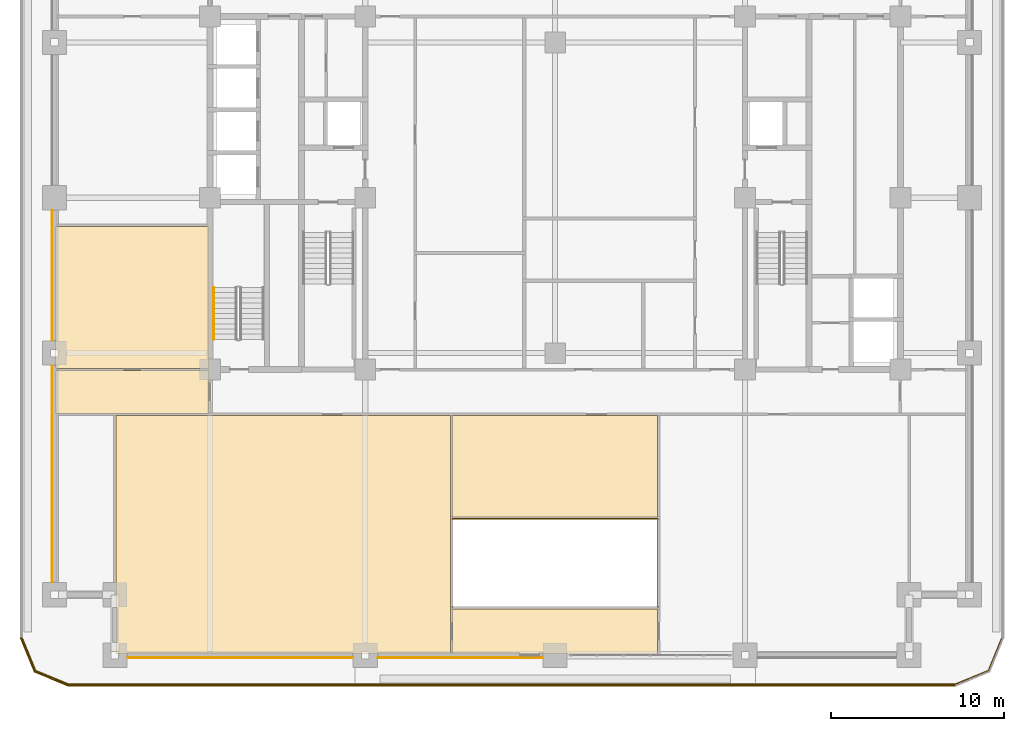
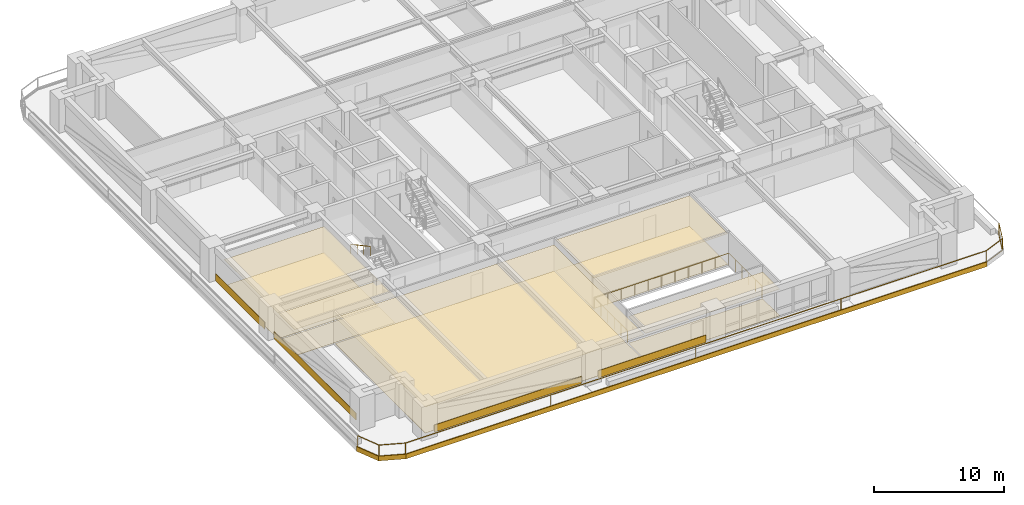
# One storey, part 11 of 18: 17 coverings, 3 railings.
"""IFC4 building model written with IfcOpenShell, lengths in metres."""

import ifcopenshell
import ifcopenshell.guid

model = None  # the IFC model being written
_history = None  # IfcOwnerHistory: only IFC2X3 demands one
_inside = {}  # id of a spatial element -> (the spatial element, [elements in it])
_under = {}  # id of a project, library or spatial element -> (it, [spatial elements below it])
_declared = {}  # id of a project -> (the project, [libraries it declares])
_typed = {}  # id of a type object -> (the type object, [elements of that type])
_made_of = {}  # id of a material, layer set ... -> (it, [elements and type objects made of it])


def new_model(schema):
    """Start an empty IFC model of exactly this schema.

    Asked for "IFC4X3", IfcOpenShell would pick the latest addendum, in which some entities
    have other attributes; the version numbers below select the first issue.
    IFC2X3 requires an IfcOwnerHistory on every rooted entity: one is made here for all.
    """
    global model, _history
    if schema == "IFC4X3":
        model = ifcopenshell.file(schema_version=(4, 3, 0, 0))
    else:
        model = ifcopenshell.file(schema=schema)
    _inside.clear()
    _under.clear()
    _declared.clear()
    _typed.clear()
    _made_of.clear()
    _history = None
    if model.schema == "IFC2X3":
        org = make("IfcOrganization", Name="unknown")
        user = make(
            "IfcPersonAndOrganization",
            ThePerson=make("IfcPerson", FamilyName="unknown"),
            TheOrganization=org,
        )
        app = make(
            "IfcApplication",
            ApplicationDeveloper=org,
            Version="unknown",
            ApplicationFullName="unknown",
            ApplicationIdentifier="unknown",
        )
        _history = make(
            "IfcOwnerHistory",
            OwningUser=user,
            OwningApplication=app,
            ChangeAction="ADDED",
            CreationDate=0,
        )
    return model


def make(cls, **values):
    """One entity of the class cls with the attributes given. An attribute that is None is left unset."""
    return model.create_entity(
        cls, **{name: value for name, value in values.items() if value is not None}
    )


def rooted(cls, **values):
    """An entity with a GlobalId (a new one), such as an element, a storey or a relation."""
    return make(cls, GlobalId=ifcopenshell.guid.new(), OwnerHistory=_history, **values)


def si_unit(unit_type, name, prefix=None):
    """IfcSIUnit, for example si_unit("LENGTHUNIT", "METRE", prefix="MILLI")."""
    return make("IfcSIUnit", UnitType=unit_type, Prefix=prefix, Name=name)


def assignment(units):
    """IfcUnitAssignment: the units of a project."""
    return None if units is None else make("IfcUnitAssignment", Units=units)


def point(xyz):
    """IfcCartesianPoint."""
    return None if xyz is None else make("IfcCartesianPoint", Coordinates=xyz)


def direction(xyz):
    """IfcDirection."""
    return None if xyz is None else make("IfcDirection", DirectionRatios=xyz)


def frame(location, z_axis=None, x_axis=None):
    """IfcAxis2Placement3D, a coordinate frame: its origin and axes. An axis left out is left unset."""
    return make(
        "IfcAxis2Placement3D",
        Location=point(location),
        Axis=direction(z_axis),
        RefDirection=direction(x_axis),
    )


def frame_2d(location, x_axis=None):
    """IfcAxis2Placement2D, a coordinate frame in the plane: its origin and x axis."""
    return make(
        "IfcAxis2Placement2D", Location=point(location), RefDirection=direction(x_axis)
    )


def origin():
    """The frame at (0, 0, 0) with its axes left unset."""
    return frame((0.0, 0.0, 0.0))


def origin_2d():
    """The frame at (0, 0) in the plane with its x axis left unset."""
    return frame_2d((0.0, 0.0))


def place(relative_to, where):
    """IfcLocalPlacement: puts the frame where relative to a parent placement (None: the world)."""
    return make(
        "IfcLocalPlacement", PlacementRelTo=relative_to, RelativePlacement=where
    )


def context(
    kind, dimensions, precision=None, world=None, true_north=None, identifier=None
):
    """IfcGeometricRepresentationContext, for example the 3D "Model" context."""
    return make(
        "IfcGeometricRepresentationContext",
        ContextIdentifier=identifier,
        ContextType=kind,
        CoordinateSpaceDimension=dimensions,
        Precision=precision,
        WorldCoordinateSystem=world,
        TrueNorth=true_north,
    )


def subcontext(parent, identifier, kind, view, scale=None):
    """IfcGeometricRepresentationSubContext, for example "Body" below "Model"."""
    return make(
        "IfcGeometricRepresentationSubContext",
        ContextIdentifier=identifier,
        ContextType=kind,
        ParentContext=parent,
        TargetScale=scale,
        TargetView=view,
    )


def project(units=None, contexts=None):
    """IfcProject with its units and contexts."""
    return rooted(
        "IfcProject",
        Name="project",
        RepresentationContexts=contexts,
        UnitsInContext=assignment(units),
    )


def spatial(cls, under=None, at=None, **own):
    """A site, building, storey or space (cls), placed at a placement, below another one or the project."""
    s = rooted(cls, ObjectPlacement=at, **own)
    if under is not None:
        _under.setdefault(under.id(), (under, []))[1].append(s)
    return s


def polyline(points):
    """IfcPolyline through the points."""
    return make("IfcPolyline", Points=[point(p) for p in points])


def profile(cls, at=None, kind="AREA", **sizes):
    """A parametric profile (cls). Its sizes go by their IFC names, for example OverallWidth=200.0."""
    return make(cls, ProfileType=kind, Position=at, **sizes)


def rectangle(**sizes):
    """IfcRectangleProfileDef."""
    return profile("IfcRectangleProfileDef", **sizes)


def outline(outer, holes=None, kind="AREA"):
    """IfcArbitraryClosedProfileDef: a profile drawn as a closed curve; with holes, ...WithVoids."""
    if holes is None:
        return make("IfcArbitraryClosedProfileDef", ProfileType=kind, OuterCurve=outer)
    return make(
        "IfcArbitraryProfileDefWithVoids",
        ProfileType=kind,
        OuterCurve=outer,
        InnerCurves=holes,
    )


def extrude(swept, where, along, depth):
    """IfcExtrudedAreaSolid: the profile swept, set in the frame where, extruded along a direction by depth."""
    return make(
        "IfcExtrudedAreaSolid",
        SweptArea=swept,
        Position=where,
        ExtrudedDirection=direction(along),
        Depth=depth,
    )


def shape(context_of_items, identifier, shape_type, items):
    """IfcShapeRepresentation: the items that make up one representation, for example the "Body"."""
    return make(
        "IfcShapeRepresentation",
        ContextOfItems=context_of_items,
        RepresentationIdentifier=identifier,
        RepresentationType=shape_type,
        Items=items,
    )


def material(Name=None, Category=None):
    """IfcMaterial."""
    return make("IfcMaterial", Name=Name, Category=Category)


def layer(
    of_material, thickness, ventilated=None, Name=None, Category=None, Priority=None
):
    """IfcMaterialLayer: one layer of a wall or slab, of a material (None: an air gap)."""
    return make(
        "IfcMaterialLayer",
        Material=of_material,
        LayerThickness=thickness,
        IsVentilated=ventilated,
        Name=Name,
        Category=Category,
        Priority=Priority,
    )


def layer_set(layers, Name=None):
    """IfcMaterialLayerSet."""
    return make("IfcMaterialLayerSet", MaterialLayers=layers, LayerSetName=Name)


def made_of(thing, what):
    """Note that an element or type object is made of a material, layer set ...; save() writes the relation."""
    if what is not None:
        _made_of.setdefault(what.id(), (what, []))[1].append(thing)
    return thing


def type_object(cls, material=None, **own):
    """A type object (cls), such as IfcWallType, which elements share."""
    return made_of(rooted(cls, **own), material)


def element(
    cls,
    number,
    at=None,
    inside=None,
    cuts=None,
    type_object=None,
    material=None,
    context=None,
    identifier="Body",
    shape_type=None,
    held_by="IfcProductDefinitionShape",
    body=None,
    shapes=None,
    **own,
):
    """One element of the class cls, such as IfcWall. Its Tag is "e" and its number.

    at: its placement. inside: the storey or other place that contains it. cuts: it is an
    opening in that element (IfcRelVoidsElement). A single representation is given by context,
    identifier, shape_type and body (its items); several are given by shapes. held_by: the class
    of the entity that holds the representations. save() writes the other relations.
    """
    e = rooted(cls, Tag="e%d" % number, ObjectPlacement=at, **own)
    if body is not None:
        shapes = [shape(context, identifier, shape_type, body)]
    if shapes is not None:
        e.Representation = make(held_by, Representations=shapes)
    if inside is not None:
        _inside.setdefault(inside.id(), (inside, []))[1].append(e)
    if cuts is not None:
        rooted(
            "IfcRelVoidsElement", RelatingBuildingElement=cuts, RelatedOpeningElement=e
        )
    if type_object is not None:
        _typed.setdefault(type_object.id(), (type_object, []))[1].append(e)
    return made_of(e, material)


def aggregate(whole, parts):
    """IfcRelAggregates: a whole, such as a stair, and the parts it consists of."""
    return rooted("IfcRelAggregates", RelatingObject=whole, RelatedObjects=parts)


def save(model, path):
    """Write the relations noted so far, then the file.

    IfcRelAggregates (storeys below a building ...), IfcRelContainedInSpatialStructure (elements
    in a storey), IfcRelDefinesByType, IfcRelAssociatesMaterial and IfcRelDeclares: one each for
    every whole, place, type object, material and project.
    """
    for whole, parts in _under.values():
        aggregate(whole, parts)
    for where, things in _inside.values():
        rooted(
            "IfcRelContainedInSpatialStructure",
            RelatedElements=things,
            RelatingStructure=where,
        )
    for kind, things in _typed.values():
        rooted("IfcRelDefinesByType", RelatedObjects=things, RelatingType=kind)
    for what, things in _made_of.values():
        rooted("IfcRelAssociatesMaterial", RelatedObjects=things, RelatingMaterial=what)
    for by, libraries in _declared.values():
        rooted("IfcRelDeclares", RelatingContext=by, RelatedDefinitions=libraries)
    model.write(path)


model = new_model("IFC4")

# Units and contexts
model_context = context("Model", 3, precision=1e-05, world=origin(), true_north=direction((0.0, 1.0)))
body_context = subcontext(model_context, "Body", "Model", "MODEL_VIEW")
ifc_project = project(units=[si_unit("LENGTHUNIT", "METRE"), si_unit("AREAUNIT", "SQUARE_METRE"), si_unit("VOLUMEUNIT", "CUBIC_METRE"), si_unit("PLANEANGLEUNIT", "RADIAN"), si_unit("MASSUNIT", "GRAM", prefix="KILO")], contexts=[model_context])

# Site, building, storey
site_placement = place(None, origin())
site = spatial("IfcSite", under=ifc_project, at=site_placement, CompositionType="ELEMENT")
building_placement = place(site_placement, origin())
building = spatial("IfcBuilding", under=site, at=building_placement, Name="Zulmaris Gate Convention Tower", CompositionType="ELEMENT")
storey_placement = place(building_placement, frame((0.0, 0.0, 78.60986328125)))
storey = spatial("IfcBuildingStorey", under=building, at=storey_placement, Name="L19", CompositionType="ELEMENT", Elevation=78.60986328125)

# Coverings
ifc_material_1 = material(Name="Precast concrete C40/50", Category="concrete")
ifc_layer_1 = layer(ifc_material_1, 0.0400390625, Name="Precast concrete C40/50")
ifc_layer_set_1 = layer_set([ifc_layer_1], Name="Precast concrete C40/50")
covering_type_1 = type_object("IfcCoveringType", Name="CLAD-SPANDREL-PRECAST", PredefinedType="CLADDING", material=ifc_layer_set_1)
covering_1_placement = place(storey_placement, frame((-24.77001953125, -26.64990234375, 0.0), z_axis=(0.0, 0.0, 1.0), x_axis=(1.0, 0.0, 0.0)))
element("IfcCovering", 1, at=covering_1_placement, inside=storey, type_object=covering_type_1, Name="CLD-L19-S-0_0", PredefinedType="CLADDING", context=body_context, shape_type="SweptSolid", body=[
    extrude(rectangle(XDim=13.0400390625, YDim=0.0400390625, at=frame_2d((6.52001953125, 0.0))), origin(), (0.0, 0.0, 1.0), 0.679931640625),
])
covering_2_placement = place(storey_placement, frame((-10.27001953125, -26.64990234375, 0.0), z_axis=(0.0, 0.0, 1.0), x_axis=(1.0, 0.0, 0.0)))
element("IfcCovering", 2, at=covering_2_placement, inside=storey, type_object=covering_type_1, Name="CLD-L19-S-1_0", PredefinedType="CLADDING", context=body_context, shape_type="SweptSolid", body=[
    extrude(rectangle(XDim=9.5400390625, YDim=0.0400390625, at=frame_2d((4.77001953125, 0.0))), origin(), (0.0, 0.0, 1.0), 0.679931640625),
])
covering_3_placement = place(storey_placement, frame((-29.14990234375, -9.72998046875, 0.0), z_axis=(0.0, 0.0, 1.0), x_axis=(0.0, -1.0, 0.0)))
element("IfcCovering", 3, at=covering_3_placement, inside=storey, type_object=covering_type_1, Name="CLD-L19-W-0_0", PredefinedType="CLADDING", context=body_context, shape_type="SweptSolid", body=[
    extrude(rectangle(XDim=12.5400390625, YDim=0.0400390625, at=frame_2d((6.27001953125, 0.0))), origin(), (0.0, 0.0, 1.0), 0.679931640625),
])
covering_4_placement = place(storey_placement, frame((-29.14990234375, -0.72998046875, 0.0), z_axis=(0.0, 0.0, 1.0), x_axis=(0.0, -1.0, 0.0)))
element("IfcCovering", 4, at=covering_4_placement, inside=storey, type_object=covering_type_1, Name="CLD-L19-W-1_0", PredefinedType="CLADDING", context=body_context, shape_type="SweptSolid", body=[
    extrude(rectangle(XDim=7.5400390625, YDim=0.0400390625, at=frame_2d((3.77001953125, 0.0))), origin(), (0.0, 0.0, 1.0), 0.679931640625),
])
ifc_material_2 = material(Name="White Glazed Architectural Precast Concrete C40/50", Category="concrete")
ifc_layer_2 = layer(ifc_material_2, 0.080078125, Name="White Glazed Architectural Precast Concrete C40/50")
ifc_layer_set_2 = layer_set([ifc_layer_2], Name="White Glazed Architectural Precast Concrete C40/50")
covering_type_2 = type_object("IfcCoveringType", Name="CLAD-TRAY-FASCIA", PredefinedType="CLADDING", material=ifc_layer_set_2)
covering_5_placement = place(storey_placement, frame((-30.962890625, -25.484619140625, -0.2900390625), z_axis=(0.0, 0.0, 1.0), x_axis=(0.382656984709, -0.923890487046, 0.0)))
element("IfcCovering", 5, at=covering_5_placement, inside=storey, type_object=covering_type_2, Name="FSC-L19-TR-00", PredefinedType="CLADDING", context=body_context, shape_type="SweptSolid", body=[
    extrude(rectangle(XDim=2.14306640625, YDim=0.080078125, at=frame_2d((1.071533203125, 0.0))), origin(), (0.0, 0.0, 1.0), 0.440185546875),
])
covering_6_placement = place(storey_placement, frame((-30.16455078125, -27.44287109375, -0.2900390625), z_axis=(0.0, 0.0, 1.0), x_axis=(0.923873803533, -0.382697263049, 0.0)))
element("IfcCovering", 6, at=covering_6_placement, inside=storey, type_object=covering_type_2, Name="FSC-L19-TR-01", PredefinedType="CLADDING", context=body_context, shape_type="SweptSolid", body=[
    extrude(rectangle(XDim=2.142822265625, YDim=0.080078125, at=frame_2d((1.0712890625, 0.0))), origin(), (0.0, 0.0, 1.0), 0.440185546875),
])
covering_7_placement = place(storey_placement, frame((-28.199951171875, -28.260009765625, -0.2900390625), z_axis=(0.0, 0.0, 1.0), x_axis=(1.0, 0.0, 0.0)))
element("IfcCovering", 7, at=covering_7_placement, inside=storey, type_object=covering_type_2, Name="FSC-L19-TR-02", PredefinedType="CLADDING", context=body_context, shape_type="SweptSolid", body=[
    extrude(rectangle(XDim=51.39990234375, YDim=0.080078125, at=frame_2d((25.699951171875, 0.0))), origin(), (0.0, 0.0, 1.0), 0.440185546875),
])
ifc_material_3 = material(Name="Mineral Fibre Acoustic Ceiling Tile")
ifc_layer_3 = layer(ifc_material_3, 0.02001953125, Name="Mineral Fibre Acoustic Ceiling Tile")
ifc_layer_set_3 = layer_set([ifc_layer_3], Name="Mineral Fibre Acoustic Ceiling Tile")
covering_type_3 = type_object("IfcCoveringType", Name="CLG-ACOUSTIC-600", PredefinedType="CEILING", material=ifc_layer_set_3)
covering_8_placement = place(storey_placement, frame((0.0, 0.0, 2.505126953125)))
element("IfcCovering", 8, at=covering_8_placement, inside=storey, type_object=covering_type_3, Name="CLG-L19-R35", PredefinedType="CEILING", context=body_context, shape_type="SweptSolid", body=[
    extrude(outline(polyline([(-5.93994140625, -26.43994140625), (5.93994140625, -26.43994140625), (5.93994140625, -23.81005859375), (-5.93994140625, -23.81005859375), (-5.93994140625, -26.43994140625)])), origin(), (0.0, 0.0, 1.0), 0.02001953125),
])
covering_9_placement = place(storey_placement, frame((0.0, 0.0, 2.864990234375)))
element("IfcCovering", 9, at=covering_9_placement, inside=storey, type_object=covering_type_3, Name="CLG-L19-R36", PredefinedType="CEILING", context=body_context, shape_type="SweptSolid", body=[
    extrude(outline(polyline([(-5.93994140625, -18.489990234375), (5.93994140625, -18.489990234375), (5.93994140625, -12.610107421875), (-5.93994140625, -12.610107421875), (-5.93994140625, -18.489990234375)])), origin(), (0.0, 0.0, 1.0), 0.02001953125),
])
covering_10_placement = place(storey_placement, frame((0.0, 0.0, 2.453125)))
element("IfcCovering", 10, at=covering_10_placement, inside=storey, type_object=covering_type_3, Name="CLG-L19-R37", PredefinedType="CEILING", context=body_context, shape_type="SweptSolid", body=[
    extrude(outline(polyline([(-25.43994140625, -26.43994140625), (-6.06005859375, -26.43994140625), (-6.06005859375, -12.610107421875), (-25.43994140625, -12.610107421875), (-25.43994140625, -26.43994140625)])), origin(), (0.0, 0.0, 1.0), 0.02001953125),
])
covering_11_placement = place(storey_placement, frame((0.0, 0.0, 2.453125)))
element("IfcCovering", 11, at=covering_11_placement, inside=storey, type_object=covering_type_3, Name="CLG-L19-R46", PredefinedType="CEILING", context=body_context, shape_type="SweptSolid", body=[
    extrude(outline(polyline([(-28.93994140625, -12.489990234375), (-20.06005859375, -12.489990234375), (-20.06005859375, -10.010009765625), (-28.93994140625, -10.010009765625), (-28.93994140625, -12.489990234375)])), origin(), (0.0, 0.0, 1.0), 0.02001953125),
])
covering_12_placement = place(storey_placement, frame((0.0, 0.0, 2.453125)))
element("IfcCovering", 12, at=covering_12_placement, inside=storey, type_object=covering_type_3, Name="CLG-L19-R48", PredefinedType="CEILING", context=body_context, shape_type="SweptSolid", body=[
    extrude(outline(polyline([(-28.93994140625, -9.889892578125), (-20.06005859375, -9.889892578125), (-20.06005859375, -1.659912109375), (-28.93994140625, -1.659912109375), (-28.93994140625, -9.889892578125)])), origin(), (0.0, 0.0, 1.0), 0.02001953125),
])
ifc_material_4 = material(Name="Woven Acoustic Wool Carpet Tile")
ifc_layer_4 = layer(ifc_material_4, 0.02001953125, Name="Woven Acoustic Wool Carpet Tile")
ifc_layer_set_4 = layer_set([ifc_layer_4], Name="Woven Acoustic Wool Carpet Tile")
covering_type_4 = type_object("IfcCoveringType", Name="FLR-CARPET-12", PredefinedType="FLOORING", material=ifc_layer_set_4)
covering_13_placement = place(storey_placement, origin())
element("IfcCovering", 13, at=covering_13_placement, inside=storey, type_object=covering_type_4, Name="FLR-L19-R37", PredefinedType="FLOORING", context=body_context, shape_type="SweptSolid", body=[
    extrude(outline(polyline([(-25.43994140625, -26.43994140625), (-6.06005859375, -26.43994140625), (-6.06005859375, -12.610107421875), (-25.43994140625, -12.610107421875), (-25.43994140625, -26.43994140625)])), origin(), (0.0, 0.0, 1.0), 0.02001953125),
])
covering_14_placement = place(storey_placement, origin())
element("IfcCovering", 14, at=covering_14_placement, inside=storey, type_object=covering_type_4, Name="FLR-L19-R46", PredefinedType="FLOORING", context=body_context, shape_type="SweptSolid", body=[
    extrude(outline(polyline([(-28.93994140625, -12.489990234375), (-20.06005859375, -12.489990234375), (-20.06005859375, -10.010009765625), (-28.93994140625, -10.010009765625), (-28.93994140625, -12.489990234375)])), origin(), (0.0, 0.0, 1.0), 0.02001953125),
])
covering_15_placement = place(storey_placement, origin())
element("IfcCovering", 15, at=covering_15_placement, inside=storey, type_object=covering_type_4, Name="FLR-L19-R48", PredefinedType="FLOORING", context=body_context, shape_type="SweptSolid", body=[
    extrude(outline(polyline([(-28.93994140625, -9.889892578125), (-20.06005859375, -9.889892578125), (-20.06005859375, -1.659912109375), (-28.93994140625, -1.659912109375), (-28.93994140625, -9.889892578125)])), origin(), (0.0, 0.0, 1.0), 0.02001953125),
])
ifc_material_5 = material(Name="Engineered Teak Parquet Flooring")
ifc_layer_5 = layer(ifc_material_5, 0.02001953125, Name="Engineered Teak Parquet Flooring")
ifc_layer_set_5 = layer_set([ifc_layer_5], Name="Engineered Teak Parquet Flooring")
covering_type_5 = type_object("IfcCoveringType", Name="FLR-TIMBER-18", PredefinedType="FLOORING", material=ifc_layer_set_5)
covering_16_placement = place(storey_placement, origin())
element("IfcCovering", 16, at=covering_16_placement, inside=storey, type_object=covering_type_5, Name="FLR-L19-R35", PredefinedType="FLOORING", context=body_context, shape_type="SweptSolid", body=[
    extrude(outline(polyline([(-5.93994140625, -26.43994140625), (5.93994140625, -26.43994140625), (5.93994140625, -23.81005859375), (-5.93994140625, -23.81005859375), (-5.93994140625, -26.43994140625)])), origin(), (0.0, 0.0, 1.0), 0.02001953125),
])
covering_17_placement = place(storey_placement, origin())
element("IfcCovering", 17, at=covering_17_placement, inside=storey, type_object=covering_type_5, Name="FLR-L19-R36", PredefinedType="FLOORING", context=body_context, shape_type="SweptSolid", body=[
    extrude(outline(polyline([(-5.93994140625, -18.489990234375), (5.93994140625, -18.489990234375), (5.93994140625, -12.610107421875), (-5.93994140625, -12.610107421875), (-5.93994140625, -18.489990234375)])), origin(), (0.0, 0.0, 1.0), 0.02001953125),
])

# Railings
ifc_material_6 = material(Name="Laminated Glass and Stainless Steel", Category="steel")
railing_type_1 = type_object("IfcRailingType", Name="RL-BALC-1150", PredefinedType="BALUSTRADE", material=ifc_material_6)
railing_1_placement = place(storey_placement, frame((-30.8798828125, -25.5, -0.010009765625)))
element("IfcRailing", 18, at=railing_1_placement, inside=storey, type_object=railing_type_1, Name="RL-L19-BALC-S", PredefinedType="BALUSTRADE", context=body_context, shape_type="SweptSolid", body=[
    extrude(rectangle(XDim=0.048095703125, YDim=0.048095703125, at=origin_2d()), frame((0.0, 0.0, 1.1259765625), z_axis=(0.382670664694, -0.92388482095, 0.0), x_axis=(0.92388482095, 0.382670664694, 0.0)), (0.0, 0.0, 1.0), 2.051025390625),
    extrude(rectangle(XDim=0.048095703125, YDim=0.048095703125, at=origin_2d()), frame((0.0, 0.0, 0.02392578125), z_axis=(0.382670664694, -0.92388482095, 0.0), x_axis=(0.92388482095, 0.382670664694, 0.0)), (0.0, 0.0, 1.0), 2.051025390625),
    extrude(rectangle(XDim=0.048095703125, YDim=0.048095703125, at=origin_2d()), frame((0.784912109375, -1.89501953125, 1.1259765625), z_axis=(0.92388482095, -0.382670664694, 0.0), x_axis=(0.382670664694, 0.92388482095, 0.0)), (0.0, 0.0, 1.0), 2.051025390625),
    extrude(rectangle(XDim=0.048095703125, YDim=0.048095703125, at=origin_2d()), frame((0.784912109375, -1.89501953125, 0.02392578125), z_axis=(0.92388482095, -0.382670664694, 0.0), x_axis=(0.382670664694, 0.92388482095, 0.0)), (0.0, 0.0, 1.0), 2.051025390625),
    extrude(rectangle(XDim=0.048095703125, YDim=0.048095703125, at=origin_2d()), frame((2.679931640625, -2.679931640625, 1.1259765625), z_axis=(1.0, 0.0, 0.0), x_axis=(0.0, 1.0, 0.0)), (0.0, 0.0, 1.0), 51.39990234375),
    extrude(rectangle(XDim=0.048095703125, YDim=0.048095703125, at=origin_2d()), frame((2.679931640625, -2.679931640625, 0.02392578125), z_axis=(1.0, 0.0, 0.0), x_axis=(0.0, 1.0, 0.0)), (0.0, 0.0, 1.0), 51.39990234375),
    extrude(rectangle(XDim=0.048095703125, YDim=0.048095703125, at=origin_2d()), frame((54.079833984375, -2.679931640625, 1.1259765625), z_axis=(0.92388482095, 0.382670664694, 0.0), x_axis=(-0.382670664694, 0.92388482095, 0.0)), (0.0, 0.0, 1.0), 2.051025390625),
    extrude(rectangle(XDim=0.048095703125, YDim=0.048095703125, at=origin_2d()), frame((54.079833984375, -2.679931640625, 0.02392578125), z_axis=(0.92388482095, 0.382670664694, 0.0), x_axis=(-0.382670664694, 0.92388482095, 0.0)), (0.0, 0.0, 1.0), 2.051025390625),
    extrude(rectangle(XDim=0.048095703125, YDim=0.048095703125, at=origin_2d()), frame((55.974853515625, -1.89501953125, 1.1259765625), z_axis=(0.382670664694, 0.92388482095, 0.0), x_axis=(-0.92388482095, 0.382670664694, 0.0)), (0.0, 0.0, 1.0), 2.051025390625),
    extrude(rectangle(XDim=0.048095703125, YDim=0.048095703125, at=origin_2d()), frame((55.974853515625, -1.89501953125, 0.02392578125), z_axis=(0.382670664694, 0.92388482095, 0.0), x_axis=(-0.92388482095, 0.382670664694, 0.0)), (0.0, 0.0, 1.0), 2.051025390625),
    extrude(rectangle(XDim=0.0419921875, YDim=0.0419921875, at=origin_2d()), origin(), (0.0, 0.0, 1.0), 1.101806640625),
    extrude(rectangle(XDim=0.0419921875, YDim=0.0419921875, at=origin_2d()), frame((0.784912109375, -1.89501953125, 0.0)), (0.0, 0.0, 1.0), 1.101806640625),
    extrude(rectangle(XDim=0.0419921875, YDim=0.0419921875, at=origin_2d()), frame((2.679931640625, -2.679931640625, 0.0)), (0.0, 0.0, 1.0), 1.101806640625),
    extrude(rectangle(XDim=0.0419921875, YDim=0.0419921875, at=origin_2d()), frame((15.52978515625, -2.679931640625, 0.0)), (0.0, 0.0, 1.0), 1.101806640625),
    extrude(rectangle(XDim=0.0419921875, YDim=0.0419921875, at=origin_2d()), frame((28.3798828125, -2.679931640625, 0.0)), (0.0, 0.0, 1.0), 1.101806640625),
    extrude(rectangle(XDim=0.0419921875, YDim=0.0419921875, at=origin_2d()), frame((41.22998046875, -2.679931640625, 0.0)), (0.0, 0.0, 1.0), 1.101806640625),
    extrude(rectangle(XDim=0.0419921875, YDim=0.0419921875, at=origin_2d()), frame((54.079833984375, -2.679931640625, 0.0)), (0.0, 0.0, 1.0), 1.101806640625),
    extrude(rectangle(XDim=0.0419921875, YDim=0.0419921875, at=origin_2d()), frame((55.974853515625, -1.89501953125, 0.0)), (0.0, 0.0, 1.0), 1.101806640625),
    extrude(rectangle(XDim=0.0419921875, YDim=0.0419921875, at=origin_2d()), frame((56.759765625, 0.0, 0.0)), (0.0, 0.0, 1.0), 1.101806640625),
])
ifc_material_7 = material(Name="Painted Galvanised Steel", Category="steel")
railing_type_2 = type_object("IfcRailingType", Name="RL-GUARD-1150", PredefinedType="GUARDRAIL", material=ifc_material_7)
railing_2_placement = place(storey_placement, frame((-5.949951171875, -23.699951171875, 0.0)))
element("IfcRailing", 19, at=railing_2_placement, inside=storey, type_object=railing_type_2, Name="RL-L19-SKYGARDEN-VOID", PredefinedType="GUARDRAIL", context=body_context, shape_type="SweptSolid", body=[
    extrude(rectangle(XDim=0.048095703125, YDim=0.048095703125, at=origin_2d()), frame((0.0, 0.0, 1.1259765625), z_axis=(0.0, 1.0, 0.0), x_axis=(-1.0, 0.0, 0.0)), (0.0, 0.0, 1.0), 5.099853515625),
    extrude(rectangle(XDim=0.048095703125, YDim=0.048095703125, at=origin_2d()), frame((0.0, 5.099853515625, 1.1259765625), z_axis=(1.0, 0.0, 0.0), x_axis=(0.0, 1.0, 0.0)), (0.0, 0.0, 1.0), 11.89990234375),
    extrude(rectangle(XDim=0.048095703125, YDim=0.048095703125, at=origin_2d()), frame((11.89990234375, 5.099853515625, 1.1259765625), z_axis=(0.0, -1.0, 0.0), x_axis=(1.0, 0.0, 0.0)), (0.0, 0.0, 1.0), 5.099853515625),
    extrude(rectangle(XDim=0.0419921875, YDim=0.0419921875, at=origin_2d()), origin(), (0.0, 0.0, 1.0), 1.101806640625),
    extrude(rectangle(XDim=0.0419921875, YDim=0.0419921875, at=origin_2d()), frame((0.0, 1.02001953125, 0.0)), (0.0, 0.0, 1.0), 1.101806640625),
    extrude(rectangle(XDim=0.0419921875, YDim=0.0419921875, at=origin_2d()), frame((0.0, 2.0400390625, 0.0)), (0.0, 0.0, 1.0), 1.101806640625),
    extrude(rectangle(XDim=0.0419921875, YDim=0.0419921875, at=origin_2d()), frame((0.0, 3.059814453125, 0.0)), (0.0, 0.0, 1.0), 1.101806640625),
    extrude(rectangle(XDim=0.0419921875, YDim=0.0419921875, at=origin_2d()), frame((0.0, 4.079833984375, 0.0)), (0.0, 0.0, 1.0), 1.101806640625),
    extrude(rectangle(XDim=0.0419921875, YDim=0.0419921875, at=origin_2d()), frame((0.0, 5.099853515625, 0.0)), (0.0, 0.0, 1.0), 1.101806640625),
    extrude(rectangle(XDim=0.0419921875, YDim=0.0419921875, at=origin_2d()), frame((1.18994140625, 5.099853515625, 0.0)), (0.0, 0.0, 1.0), 1.101806640625),
    extrude(rectangle(XDim=0.0419921875, YDim=0.0419921875, at=origin_2d()), frame((2.3798828125, 5.099853515625, 0.0)), (0.0, 0.0, 1.0), 1.101806640625),
    extrude(rectangle(XDim=0.0419921875, YDim=0.0419921875, at=origin_2d()), frame((3.570068359375, 5.099853515625, 0.0)), (0.0, 0.0, 1.0), 1.101806640625),
    extrude(rectangle(XDim=0.0419921875, YDim=0.0419921875, at=origin_2d()), frame((4.760009765625, 5.099853515625, 0.0)), (0.0, 0.0, 1.0), 1.101806640625),
    extrude(rectangle(XDim=0.0419921875, YDim=0.0419921875, at=origin_2d()), frame((5.949951171875, 5.099853515625, 0.0)), (0.0, 0.0, 1.0), 1.101806640625),
    extrude(rectangle(XDim=0.0419921875, YDim=0.0419921875, at=origin_2d()), frame((7.139892578125, 5.099853515625, 0.0)), (0.0, 0.0, 1.0), 1.101806640625),
    extrude(rectangle(XDim=0.0419921875, YDim=0.0419921875, at=origin_2d()), frame((8.329833984375, 5.099853515625, 0.0)), (0.0, 0.0, 1.0), 1.101806640625),
    extrude(rectangle(XDim=0.0419921875, YDim=0.0419921875, at=origin_2d()), frame((9.52001953125, 5.099853515625, 0.0)), (0.0, 0.0, 1.0), 1.101806640625),
    extrude(rectangle(XDim=0.0419921875, YDim=0.0419921875, at=origin_2d()), frame((10.7099609375, 5.099853515625, 0.0)), (0.0, 0.0, 1.0), 1.101806640625),
    extrude(rectangle(XDim=0.0419921875, YDim=0.0419921875, at=origin_2d()), frame((11.89990234375, 5.099853515625, 0.0)), (0.0, 0.0, 1.0), 1.101806640625),
    extrude(rectangle(XDim=0.0419921875, YDim=0.0419921875, at=origin_2d()), frame((11.89990234375, 4.079833984375, 0.0)), (0.0, 0.0, 1.0), 1.101806640625),
    extrude(rectangle(XDim=0.0419921875, YDim=0.0419921875, at=origin_2d()), frame((11.89990234375, 3.059814453125, 0.0)), (0.0, 0.0, 1.0), 1.101806640625),
    extrude(rectangle(XDim=0.0419921875, YDim=0.0419921875, at=origin_2d()), frame((11.89990234375, 2.0400390625, 0.0)), (0.0, 0.0, 1.0), 1.101806640625),
    extrude(rectangle(XDim=0.0419921875, YDim=0.0419921875, at=origin_2d()), frame((11.89990234375, 1.02001953125, 0.0)), (0.0, 0.0, 1.0), 1.101806640625),
    extrude(rectangle(XDim=0.0419921875, YDim=0.0419921875, at=origin_2d()), frame((11.89990234375, 0.0, 0.0)), (0.0, 0.0, 1.0), 1.101806640625),
])
ifc_material_8 = material(Name="Brushed Stainless Steel", Category="steel")
railing_type_3 = type_object("IfcRailingType", Name="RL-STH-900", PredefinedType="HANDRAIL", material=ifc_material_8)
railing_3_placement = place(storey_placement, frame((-19.77001953125, -5.199951171875, 1.947265625)))
element("IfcRailing", 20, at=railing_3_placement, inside=storey, type_object=railing_type_3, Name="L19 ST-3 stair handrail 2", PredefinedType="HANDRAIL", context=body_context, shape_type="SweptSolid", body=[
    extrude(rectangle(XDim=0.048095703125, YDim=0.048095703125, at=origin_2d()), frame((0.0, 0.0, 0.8759765625), z_axis=(0.0, -0.8795616155, 0.475784998228), x_axis=(1.0, 0.0, 0.0)), (0.0, 0.0, 1.0), 3.410888671875),
    extrude(rectangle(XDim=0.0419921875, YDim=0.0419921875, at=origin_2d()), origin(), (0.0, 0.0, 1.0), 0.851806640625),
    extrude(rectangle(XDim=0.0419921875, YDim=0.0419921875, at=origin_2d()), frame((0.0, -1.0, 0.541015625)), (0.0, 0.0, 1.0), 0.851806640625),
    extrude(rectangle(XDim=0.0419921875, YDim=0.0419921875, at=origin_2d()), frame((0.0, -2.0, 1.081787109375)), (0.0, 0.0, 1.0), 0.851806640625),
    extrude(rectangle(XDim=0.0419921875, YDim=0.0419921875, at=origin_2d()), frame((0.0, -3.0, 1.622802734375)), (0.0, 0.0, 1.0), 0.851806640625),
])

save(model, "model.ifc")
